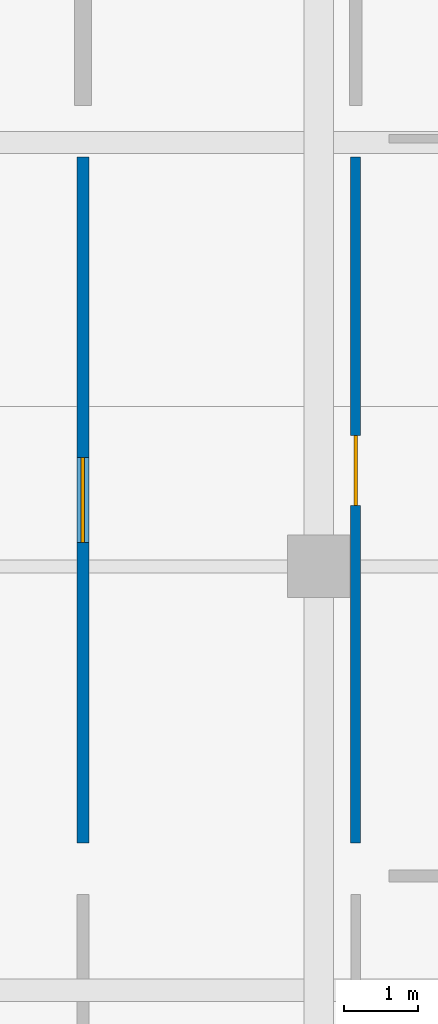
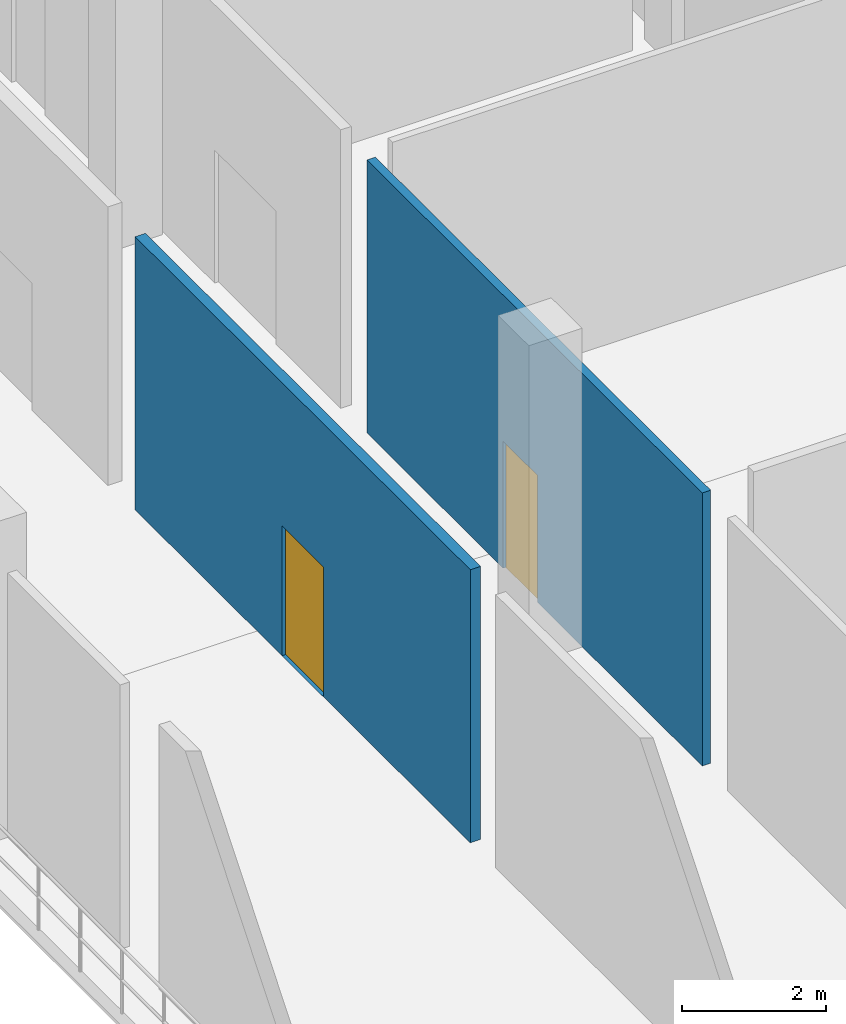
# One storey, part 80 of 114: 2 doors, 2 walls, 2 openings.
"""IFC4 building model written with IfcOpenShell, lengths in metres."""

import ifcopenshell
import ifcopenshell.guid

model = None  # the IFC model being written
_history = None  # IfcOwnerHistory: only IFC2X3 demands one
_inside = {}  # id of a spatial element -> (the spatial element, [elements in it])
_under = {}  # id of a project, library or spatial element -> (it, [spatial elements below it])
_declared = {}  # id of a project -> (the project, [libraries it declares])
_typed = {}  # id of a type object -> (the type object, [elements of that type])
_made_of = {}  # id of a material, layer set ... -> (it, [elements and type objects made of it])


def new_model(schema):
    """Start an empty IFC model of exactly this schema.

    Asked for "IFC4X3", IfcOpenShell would pick the latest addendum, in which some entities
    have other attributes; the version numbers below select the first issue.
    IFC2X3 requires an IfcOwnerHistory on every rooted entity: one is made here for all.
    """
    global model, _history
    if schema == "IFC4X3":
        model = ifcopenshell.file(schema_version=(4, 3, 0, 0))
    else:
        model = ifcopenshell.file(schema=schema)
    _inside.clear()
    _under.clear()
    _declared.clear()
    _typed.clear()
    _made_of.clear()
    _history = None
    if model.schema == "IFC2X3":
        org = make("IfcOrganization", Name="unknown")
        user = make(
            "IfcPersonAndOrganization",
            ThePerson=make("IfcPerson", FamilyName="unknown"),
            TheOrganization=org,
        )
        app = make(
            "IfcApplication",
            ApplicationDeveloper=org,
            Version="unknown",
            ApplicationFullName="unknown",
            ApplicationIdentifier="unknown",
        )
        _history = make(
            "IfcOwnerHistory",
            OwningUser=user,
            OwningApplication=app,
            ChangeAction="ADDED",
            CreationDate=0,
        )
    return model


def make(cls, **values):
    """One entity of the class cls with the attributes given. An attribute that is None is left unset."""
    return model.create_entity(
        cls, **{name: value for name, value in values.items() if value is not None}
    )


def rooted(cls, **values):
    """An entity with a GlobalId (a new one), such as an element, a storey or a relation."""
    return make(cls, GlobalId=ifcopenshell.guid.new(), OwnerHistory=_history, **values)


def si_unit(unit_type, name, prefix=None):
    """IfcSIUnit, for example si_unit("LENGTHUNIT", "METRE", prefix="MILLI")."""
    return make("IfcSIUnit", UnitType=unit_type, Prefix=prefix, Name=name)


def assignment(units):
    """IfcUnitAssignment: the units of a project."""
    return None if units is None else make("IfcUnitAssignment", Units=units)


def point(xyz):
    """IfcCartesianPoint."""
    return None if xyz is None else make("IfcCartesianPoint", Coordinates=xyz)


def direction(xyz):
    """IfcDirection."""
    return None if xyz is None else make("IfcDirection", DirectionRatios=xyz)


def frame(location, z_axis=None, x_axis=None):
    """IfcAxis2Placement3D, a coordinate frame: its origin and axes. An axis left out is left unset."""
    return make(
        "IfcAxis2Placement3D",
        Location=point(location),
        Axis=direction(z_axis),
        RefDirection=direction(x_axis),
    )


def frame_2d(location, x_axis=None):
    """IfcAxis2Placement2D, a coordinate frame in the plane: its origin and x axis."""
    return make(
        "IfcAxis2Placement2D", Location=point(location), RefDirection=direction(x_axis)
    )


def origin():
    """The frame at (0, 0, 0) with its axes left unset."""
    return frame((0.0, 0.0, 0.0))


def place(relative_to, where):
    """IfcLocalPlacement: puts the frame where relative to a parent placement (None: the world)."""
    return make(
        "IfcLocalPlacement", PlacementRelTo=relative_to, RelativePlacement=where
    )


def context(
    kind, dimensions, precision=None, world=None, true_north=None, identifier=None
):
    """IfcGeometricRepresentationContext, for example the 3D "Model" context."""
    return make(
        "IfcGeometricRepresentationContext",
        ContextIdentifier=identifier,
        ContextType=kind,
        CoordinateSpaceDimension=dimensions,
        Precision=precision,
        WorldCoordinateSystem=world,
        TrueNorth=true_north,
    )


def subcontext(parent, identifier, kind, view, scale=None):
    """IfcGeometricRepresentationSubContext, for example "Body" below "Model"."""
    return make(
        "IfcGeometricRepresentationSubContext",
        ContextIdentifier=identifier,
        ContextType=kind,
        ParentContext=parent,
        TargetScale=scale,
        TargetView=view,
    )


def project(units=None, contexts=None):
    """IfcProject with its units and contexts."""
    return rooted(
        "IfcProject",
        Name="project",
        RepresentationContexts=contexts,
        UnitsInContext=assignment(units),
    )


def spatial(cls, under=None, at=None, **own):
    """A site, building, storey or space (cls), placed at a placement, below another one or the project."""
    s = rooted(cls, ObjectPlacement=at, **own)
    if under is not None:
        _under.setdefault(under.id(), (under, []))[1].append(s)
    return s


def profile(cls, at=None, kind="AREA", **sizes):
    """A parametric profile (cls). Its sizes go by their IFC names, for example OverallWidth=200.0."""
    return make(cls, ProfileType=kind, Position=at, **sizes)


def rectangle(**sizes):
    """IfcRectangleProfileDef."""
    return profile("IfcRectangleProfileDef", **sizes)


def extrude(swept, where, along, depth):
    """IfcExtrudedAreaSolid: the profile swept, set in the frame where, extruded along a direction by depth."""
    return make(
        "IfcExtrudedAreaSolid",
        SweptArea=swept,
        Position=where,
        ExtrudedDirection=direction(along),
        Depth=depth,
    )


def shape(context_of_items, identifier, shape_type, items):
    """IfcShapeRepresentation: the items that make up one representation, for example the "Body"."""
    return make(
        "IfcShapeRepresentation",
        ContextOfItems=context_of_items,
        RepresentationIdentifier=identifier,
        RepresentationType=shape_type,
        Items=items,
    )


def material(Name=None, Category=None):
    """IfcMaterial."""
    return make("IfcMaterial", Name=Name, Category=Category)


def layer(
    of_material, thickness, ventilated=None, Name=None, Category=None, Priority=None
):
    """IfcMaterialLayer: one layer of a wall or slab, of a material (None: an air gap)."""
    return make(
        "IfcMaterialLayer",
        Material=of_material,
        LayerThickness=thickness,
        IsVentilated=ventilated,
        Name=Name,
        Category=Category,
        Priority=Priority,
    )


def layer_set(layers, Name=None):
    """IfcMaterialLayerSet."""
    return make("IfcMaterialLayerSet", MaterialLayers=layers, LayerSetName=Name)


def made_of(thing, what):
    """Note that an element or type object is made of a material, layer set ...; save() writes the relation."""
    if what is not None:
        _made_of.setdefault(what.id(), (what, []))[1].append(thing)
    return thing


def type_object(cls, material=None, **own):
    """A type object (cls), such as IfcWallType, which elements share."""
    return made_of(rooted(cls, **own), material)


def element(
    cls,
    number,
    at=None,
    inside=None,
    cuts=None,
    type_object=None,
    material=None,
    context=None,
    identifier="Body",
    shape_type=None,
    held_by="IfcProductDefinitionShape",
    body=None,
    shapes=None,
    **own,
):
    """One element of the class cls, such as IfcWall. Its Tag is "e" and its number.

    at: its placement. inside: the storey or other place that contains it. cuts: it is an
    opening in that element (IfcRelVoidsElement). A single representation is given by context,
    identifier, shape_type and body (its items); several are given by shapes. held_by: the class
    of the entity that holds the representations. save() writes the other relations.
    """
    e = rooted(cls, Tag="e%d" % number, ObjectPlacement=at, **own)
    if body is not None:
        shapes = [shape(context, identifier, shape_type, body)]
    if shapes is not None:
        e.Representation = make(held_by, Representations=shapes)
    if inside is not None:
        _inside.setdefault(inside.id(), (inside, []))[1].append(e)
    if cuts is not None:
        rooted(
            "IfcRelVoidsElement", RelatingBuildingElement=cuts, RelatedOpeningElement=e
        )
    if type_object is not None:
        _typed.setdefault(type_object.id(), (type_object, []))[1].append(e)
    return made_of(e, material)


def fill(opening, filler):
    """IfcRelFillsElement: the door or window that sits in an opening."""
    return rooted(
        "IfcRelFillsElement",
        RelatingOpeningElement=opening,
        RelatedBuildingElement=filler,
    )


def aggregate(whole, parts):
    """IfcRelAggregates: a whole, such as a stair, and the parts it consists of."""
    return rooted("IfcRelAggregates", RelatingObject=whole, RelatedObjects=parts)


def save(model, path):
    """Write the relations noted so far, then the file.

    IfcRelAggregates (storeys below a building ...), IfcRelContainedInSpatialStructure (elements
    in a storey), IfcRelDefinesByType, IfcRelAssociatesMaterial and IfcRelDeclares: one each for
    every whole, place, type object, material and project.
    """
    for whole, parts in _under.values():
        aggregate(whole, parts)
    for where, things in _inside.values():
        rooted(
            "IfcRelContainedInSpatialStructure",
            RelatedElements=things,
            RelatingStructure=where,
        )
    for kind, things in _typed.values():
        rooted("IfcRelDefinesByType", RelatedObjects=things, RelatingType=kind)
    for what, things in _made_of.values():
        rooted("IfcRelAssociatesMaterial", RelatedObjects=things, RelatingMaterial=what)
    for by, libraries in _declared.values():
        rooted("IfcRelDeclares", RelatingContext=by, RelatedDefinitions=libraries)
    model.write(path)


model = new_model("IFC4")

# Units and contexts
model_context = context("Model", 3, precision=1e-05, world=origin(), true_north=direction((0.0, 1.0)))
body_context = subcontext(model_context, "Body", "Model", "MODEL_VIEW")
ifc_project = project(units=[si_unit("LENGTHUNIT", "METRE"), si_unit("AREAUNIT", "SQUARE_METRE"), si_unit("VOLUMEUNIT", "CUBIC_METRE"), si_unit("PLANEANGLEUNIT", "RADIAN"), si_unit("MASSUNIT", "GRAM", prefix="KILO")], contexts=[model_context])

# Site, building, storey
site_placement = place(None, origin())
site = spatial("IfcSite", under=ifc_project, at=site_placement, CompositionType="ELEMENT")
building_placement = place(site_placement, origin())
building = spatial("IfcBuilding", under=site, at=building_placement, Name="Candeia Ridge Stadium", CompositionType="ELEMENT")
storey_placement = place(building_placement, frame((0.0, 0.0, 5.39990234375)))
storey = spatial("IfcBuildingStorey", under=building, at=storey_placement, Name="L01", CompositionType="ELEMENT", Elevation=5.39990234375)

# Wall, opening, door
ifc_material_1 = material(Name="Gypsum Metal-Stud Partition", Category="gypsum")
ifc_layer_1 = layer(ifc_material_1, 0.135009765625, Name="Gypsum Metal-Stud Partition", Category="gypsum")
ifc_layer_set_1 = layer_set([ifc_layer_1], Name="Gypsum Metal-Stud Partition")
wall_type_1 = type_object("IfcWallType", Name="General Room Partition 135", PredefinedType="PARTITIONING", material=ifc_layer_set_1)
wall_1_placement = place(storey_placement, frame((203.0, 119.75, 0.0), z_axis=(0.0, 0.0, 1.0), x_axis=(0.0, 1.0, 0.0)))
wall_1 = element("IfcWall", 1, at=wall_1_placement, inside=storey, type_object=wall_type_1, Name="Interior partition PT-L01-0210", PredefinedType="PARTITIONING", context=body_context, shape_type="SweptSolid", body=[
    extrude(rectangle(XDim=9.300048828125, YDim=0.135009765625, at=frame_2d((4.64990234375, 0.0))), origin(), (0.0, 0.0, 1.0), 4.625),
])
opening_1_placement = place(wall_1_placement, frame((4.574951171875, 0.0, 0.0)))
opening_1 = element("IfcOpeningElement", 2, at=opening_1_placement, cuts=wall_1, Name="Opening ID05", PredefinedType="OPENING", context=body_context, shape_type="SweptSolid", body=[
    extrude(rectangle(XDim=0.949951171875, YDim=2.14990234375, at=frame_2d((0.47509765625, 1.074951171875))), frame((0.0, 0.077392578125, 0.0), z_axis=(0.0, -1.0, 0.0), x_axis=(1.0, 0.0, 0.0)), (0.0, 0.0, 1.0), 0.155029296875),
])
ifc_material_2 = material(Name="Solid Core Cedar Veneer", Category="wood")
door_type_1 = type_object("IfcDoorType", Name="General Room Single Door 950x2150", OperationType="NOTDEFINED", PredefinedType="DOOR", material=ifc_material_2)
door_1_placement = place(opening_1_placement, origin())
door_1 = element("IfcDoor", 3, at=door_1_placement, inside=storey, type_object=door_type_1, Name="Interior room door D-L01-0110", OperationType="SINGLE_SWING_RIGHT", OverallHeight=2.14990234375, OverallWidth=0.949951171875, PredefinedType="DOOR", context=body_context, shape_type="SweptSolid", body=[
    extrude(rectangle(XDim=0.949951171875, YDim=2.14990234375, at=frame_2d((0.47509765625, 1.074951171875))), frame((0.0, 0.02490234375, 0.0), z_axis=(0.0, -1.0, 0.0), x_axis=(1.0, 0.0, 0.0)), (0.0, 0.0, 1.0), 0.050048828125),
])
fill(opening_1, door_1)

ifc_material_3 = material(Name="Gypsum Acoustic Twin-Stud Assembly", Category="gypsum")
ifc_layer_2 = layer(ifc_material_3, 0.1650390625, Name="Gypsum Acoustic Twin-Stud Assembly", Category="gypsum")
ifc_layer_set_2 = layer_set([ifc_layer_2], Name="Gypsum Acoustic Twin-Stud Assembly")
wall_type_2 = type_object("IfcWallType", Name="Hospitality Suite Acoustic Wall 165", PredefinedType="PARTITIONING", material=ifc_layer_set_2)
wall_2_placement = place(storey_placement, frame((199.300048828125, 129.050048828125, 0.0), z_axis=(0.0, 0.0, 1.0), x_axis=(0.0, -1.0, 0.0)))
wall_2 = element("IfcWall", 4, at=wall_2_placement, inside=storey, type_object=wall_type_2, Name="Interior partition PT-L01-0208", PredefinedType="PARTITIONING", context=body_context, shape_type="SweptSolid", body=[
    extrude(rectangle(XDim=9.300048828125, YDim=0.1650390625, at=frame_2d((4.64990234375, 0.0))), origin(), (0.0, 0.0, 1.0), 4.625),
])
opening_2_placement = place(wall_2_placement, frame((4.074951171875, 0.0, 0.0)))
opening_2 = element("IfcOpeningElement", 5, at=opening_2_placement, cuts=wall_2, Name="Opening ID02", PredefinedType="OPENING", context=body_context, shape_type="SweptSolid", body=[
    extrude(rectangle(XDim=1.14990234375, YDim=2.199951171875, at=frame_2d((0.574951171875, 1.10009765625))), frame((0.0, 0.092529296875, 0.0), z_axis=(0.0, -1.0, 0.0), x_axis=(1.0, 0.0, 0.0)), (0.0, 0.0, 1.0), 0.18505859375),
])
ifc_material_4 = material(Name="Acoustic Timber Studio Leaf", Category="wood")
door_type_2 = type_object("IfcDoorType", Name="Broadcast & Press Studio Door 1150x2200", OperationType="NOTDEFINED", PredefinedType="DOOR", material=ifc_material_4)
door_2_placement = place(opening_2_placement, origin())
door_2 = element("IfcDoor", 6, at=door_2_placement, inside=storey, type_object=door_type_2, Name="Interior room door D-L01-0109", OperationType="SINGLE_SWING_LEFT", OverallHeight=2.199951171875, OverallWidth=1.14990234375, PredefinedType="DOOR", context=body_context, shape_type="SweptSolid", body=[
    extrude(rectangle(XDim=1.14990234375, YDim=2.199951171875, at=frame_2d((0.574951171875, 1.10009765625))), frame((0.0, 0.02490234375, 0.0), z_axis=(0.0, -1.0, 0.0), x_axis=(1.0, 0.0, 0.0)), (0.0, 0.0, 1.0), 0.050048828125),
])
fill(opening_2, door_2)

save(model, "model.ifc")
